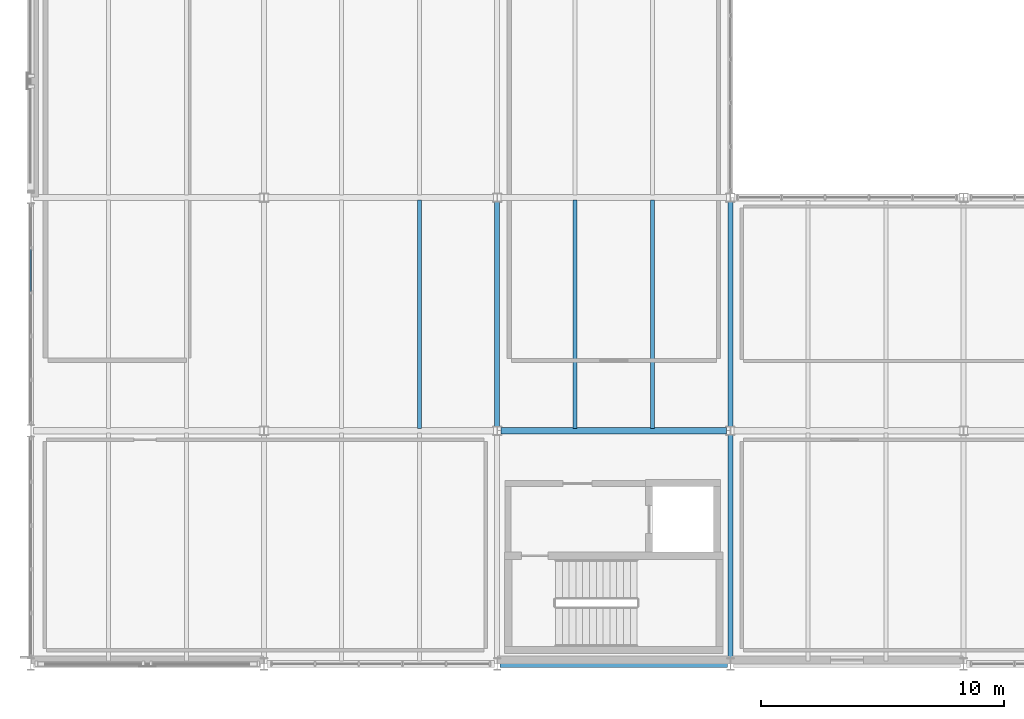
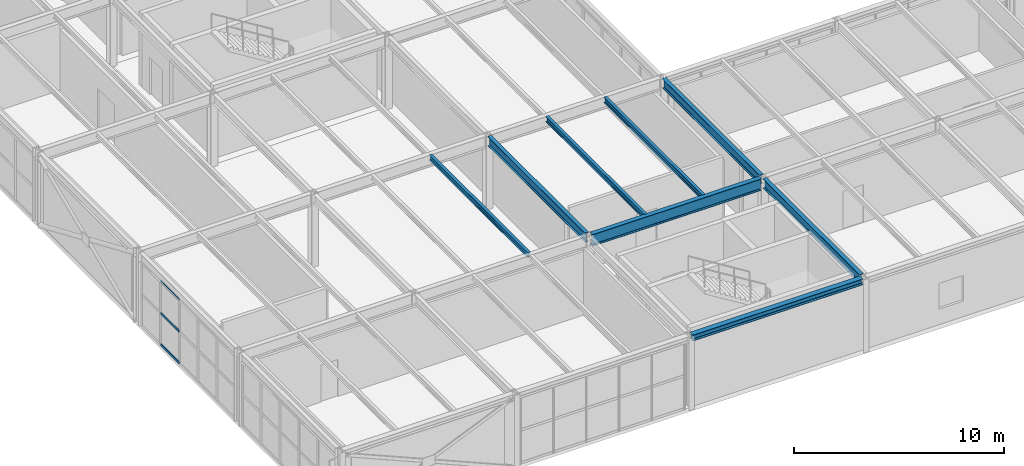
# One storey, part 21 of 170: 8 beams, 3 members, 1 element without a shape of its own.
"""IFC4 building model written with IfcOpenShell, lengths in metres."""

from ifc_helpers import new_model, si_unit, direction, frame, origin, origin_2d, place, context, subcontext, project, spatial, hollow_rectangle, i_section, extrude, material, material_profile, profile_set, type_object, element, aggregate, save


model = new_model("IFC4")

# Units and contexts
model_context = context("Model", 3, precision=1e-05, world=origin(), true_north=direction((0.0, 1.0)))
body_context = subcontext(model_context, "Body", "Model", "MODEL_VIEW")
ifc_project = project(units=[si_unit("LENGTHUNIT", "METRE"), si_unit("AREAUNIT", "SQUARE_METRE"), si_unit("VOLUMEUNIT", "CUBIC_METRE"), si_unit("PLANEANGLEUNIT", "RADIAN"), si_unit("MASSUNIT", "GRAM", prefix="KILO")], contexts=[model_context])

# Site, building, storey
site_placement = place(None, origin())
site = spatial("IfcSite", under=ifc_project, at=site_placement, CompositionType="ELEMENT")
building_placement = place(site_placement, origin())
building = spatial("IfcBuilding", under=site, at=building_placement, Name="Coralgate Yard Interchange", CompositionType="ELEMENT")
storey_placement = place(building_placement, frame((0.0, 0.0, 6.0)))
storey = spatial("IfcBuildingStorey", under=building, at=storey_placement, Name="L01", CompositionType="ELEMENT", Elevation=6.0)

# Beams
ifc_material_1 = material(Name="Structural steel S355J2", Category="steel")
ifc_material_profile_1 = material_profile(ifc_material_1, i_section(OverallWidth=0.209228515625, OverallDepth=0.533203125, WebThickness=0.010009765625, FlangeThickness=0.015625, FilletRadius=0.0126953125, at=origin_2d()), Name="UB 533x210x92")
ifc_profile_set_1 = profile_set([ifc_material_profile_1], Name="Structural steel S355J2")
beam_type_1 = type_object("IfcBeamType", Name="BM-SB-1", PredefinedType="BEAM", material=ifc_profile_set_1)
beam_1_placement = place(storey_placement, frame((19.199951171875, 9.754150390625, 3.9833984375), z_axis=(0.0, 1.0, 0.0), x_axis=(-1.0, 0.0, 0.0)))
element("IfcBeam", 1, at=beam_1_placement, inside=storey, type_object=beam_type_1, Name="L01 primary grid girder X2 Y1-2", PredefinedType="BEAM", context=body_context, shape_type="SweptSolid", body=[
    extrude(i_section(OverallWidth=0.209228515625, OverallDepth=0.533203125, WebThickness=0.010009765625, FlangeThickness=0.015625, FilletRadius=0.0126953125, at=origin_2d()), origin(), (0.0, 0.0, 1.0), 9.291748046875),
])
beam_2_placement = place(storey_placement, frame((28.800048828125, 0.219970703125, 3.9833984375), z_axis=(0.0, 1.0, 0.0), x_axis=(-1.0, 0.0, 0.0)))
element("IfcBeam", 2, at=beam_2_placement, inside=storey, type_object=beam_type_1, Name="L01 primary grid girder X3 Y0-1", PredefinedType="BEAM", context=body_context, shape_type="SweptSolid", body=[
    extrude(i_section(OverallWidth=0.209228515625, OverallDepth=0.533203125, WebThickness=0.010009765625, FlangeThickness=0.015625, FilletRadius=0.0126953125, at=origin_2d()), origin(), (0.0, 0.0, 1.0), 9.225830078125),
])
beam_3_placement = place(storey_placement, frame((28.800048828125, 9.754150390625, 3.9833984375), z_axis=(0.0, 1.0, 0.0), x_axis=(-1.0, 0.0, 0.0)))
element("IfcBeam", 3, at=beam_3_placement, inside=storey, type_object=beam_type_1, Name="L01 primary grid girder X3 Y1-2", PredefinedType="BEAM", context=body_context, shape_type="SweptSolid", body=[
    extrude(i_section(OverallWidth=0.209228515625, OverallDepth=0.533203125, WebThickness=0.010009765625, FlangeThickness=0.015625, FilletRadius=0.0126953125, at=origin_2d()), origin(), (0.0, 0.0, 1.0), 9.291748046875),
])
ifc_material_profile_2 = material_profile(ifc_material_1, i_section(OverallWidth=0.253662109375, OverallDepth=0.68359375, WebThickness=0.012451171875, FlangeThickness=0.01904296875, FilletRadius=0.01513671875, at=origin_2d()), Name="UB 686x254x140")
ifc_profile_set_2 = profile_set([ifc_material_profile_2], Name="Structural steel S355J2")
beam_type_2 = type_object("IfcBeamType", Name="BM-SG-4", PredefinedType="BEAM", material=ifc_profile_set_2)
beam_4_placement = place(storey_placement, frame((19.356201171875, 9.60009765625, 3.908203125), z_axis=(1.0, 0.0, 0.0), x_axis=(0.0, 1.0, 0.0)))
element("IfcBeam", 4, at=beam_4_placement, inside=storey, type_object=beam_type_2, Name="L01 primary grid beam Y1 X2-3", PredefinedType="BEAM", context=body_context, shape_type="SweptSolid", body=[
    extrude(i_section(OverallWidth=0.253662109375, OverallDepth=0.68359375, WebThickness=0.012451171875, FlangeThickness=0.01904296875, FilletRadius=0.01513671875, at=origin_2d()), origin(), (0.0, 0.0, 1.0), 9.28759765625),
])
ifc_material_profile_3 = material_profile(ifc_material_1, i_section(OverallWidth=0.1650390625, OverallDepth=0.303466796875, WebThickness=0.006103515625, FlangeThickness=0.01025390625, FilletRadius=0.0087890625, at=origin_2d()), Name="UB 305x165x40")
ifc_profile_set_3 = profile_set([ifc_material_profile_3], Name="Structural steel S355J2")
beam_type_3 = type_object("IfcBeamType", Name="BM-SJ-1", PredefinedType="JOIST", material=ifc_profile_set_3)
for number, where, z_axis, x_axis, name in (
    (5, (16.0, 9.69677734375, 4.098388671875), (0.0, 1.0, 0.0), (-1.0, 0.0, 0.0), "L01 composite floor joist 1-1-2"),
    (6, (22.39990234375, 9.69677734375, 4.098388671875), (0.0, 1.0, 0.0), (-1.0, 0.0, 0.0), "L01 composite floor joist 2-1-1"),
    (7, (25.60009765625, 9.69677734375, 4.098388671875), (0.0, 1.0, 0.0), (-1.0, 0.0, 0.0), "L01 composite floor joist 2-1-2"),
):
    element("IfcBeam", number, at=place(storey_placement, frame(where, z_axis=z_axis, x_axis=x_axis)), inside=storey, type_object=beam_type_3, Name=name, PredefinedType="JOIST", context=body_context, shape_type="SweptSolid", body=[
        extrude(i_section(OverallWidth=0.1650390625, OverallDepth=0.303466796875, WebThickness=0.006103515625, FlangeThickness=0.01025390625, FilletRadius=0.0087890625, at=origin_2d()), origin(), (0.0, 0.0, 1.0), 9.40625),
    ])
ifc_material_profile_4 = material_profile(ifc_material_1, i_section(OverallWidth=0.300048828125, OverallDepth=0.35009765625, WebThickness=0.010009765625, FlangeThickness=0.017578125, FilletRadius=0.027099609375, at=origin_2d()), Name="HEA 360")
ifc_profile_set_4 = profile_set([ifc_material_profile_4], Name="Structural steel S355J2")
beam_type_4 = type_object("IfcBeamType", Name="BM-SP-1", PredefinedType="SPANDREL", material=ifc_profile_set_4)
beam_5_placement = place(storey_placement, frame((19.320068359375, 0.0, 4.074951171875), z_axis=(1.0, 0.0, 0.0), x_axis=(0.0, 1.0, 0.0)))
element("IfcBeam", 8, at=beam_5_placement, inside=storey, type_object=beam_type_4, Name="L01 primary grid beam Y0 X2-3", PredefinedType="SPANDREL", context=body_context, shape_type="SweptSolid", body=[
    extrude(i_section(OverallWidth=0.300048828125, OverallDepth=0.35009765625, WebThickness=0.010009765625, FlangeThickness=0.017578125, FilletRadius=0.027099609375, at=origin_2d()), origin(), (0.0, 0.0, 1.0), 9.35986328125),
])

# Curtain wall, members
ifc_material_2 = material(Name="Anodised coastal aluminium and solar-control low-E glass", Category="aluminium")
curtain_wall_type = type_object("IfcCurtainWallType", Name="CW-CW-L01-A", PredefinedType="NOTDEFINED", material=ifc_material_2)
curtain_wall_placement = place(storey_placement, origin())
curtain_wall = element("IfcCurtainWall", 9, at=curtain_wall_placement, inside=storey, type_object=curtain_wall_type, Name="L01 unitised curtain wall CW-L01-W-00-01", PredefinedType="NOTDEFINED")
ifc_material_3 = material(Name="Anodised coastal aluminium 6063-T6", Category="aluminium")
ifc_material_profile_5 = material_profile(ifc_material_3, hollow_rectangle(XDim=0.06005859375, YDim=0.139892578125, WallThickness=0.00341796875, InnerFilletRadius=0.00341796875, OuterFilletRadius=0.007080078125, at=origin_2d()), Name="ALU 60x140x3.5")
ifc_profile_set_5 = profile_set([ifc_material_profile_5], Name="Anodised coastal aluminium 6063-T6")
member_type = type_object("IfcMemberType", Name="MB-TRN-140", PredefinedType="USERDEFINED", material=ifc_profile_set_5)
member_1_placement = place(storey_placement, frame((0.0, 15.330078125, 0.034912109375), z_axis=(0.0, 1.0, 0.0), x_axis=(-1.0, 0.0, 0.0)))
member_1 = element("IfcMember", 10, at=member_1_placement, type_object=member_type, Name="CW-L01-W-00-01 horizontal transom 4-1", ObjectType="TRANSOM", PredefinedType="USERDEFINED", context=body_context, shape_type="SweptSolid", body=[
    extrude(hollow_rectangle(XDim=0.06005859375, YDim=0.139892578125, WallThickness=0.00341796875, InnerFilletRadius=0.00341796875, OuterFilletRadius=0.007080078125, at=origin_2d()), origin(), (0.0, 0.0, 1.0), 1.739990234375),
])
member_2_placement = place(storey_placement, frame((0.0, 15.330078125, 1.8583984375), z_axis=(0.0, 1.0, 0.0), x_axis=(-1.0, 0.0, 0.0)))
member_2 = element("IfcMember", 11, at=member_2_placement, type_object=member_type, Name="CW-L01-W-00-01 horizontal transom 4-2", ObjectType="TRANSOM", PredefinedType="USERDEFINED", context=body_context, shape_type="SweptSolid", body=[
    extrude(hollow_rectangle(XDim=0.06005859375, YDim=0.139892578125, WallThickness=0.00341796875, InnerFilletRadius=0.00341796875, OuterFilletRadius=0.007080078125, at=origin_2d()), origin(), (0.0, 0.0, 1.0), 1.739990234375),
])
member_3_placement = place(storey_placement, frame((0.0, 15.330078125, 3.681884765625), z_axis=(0.0, 1.0, 0.0), x_axis=(-1.0, 0.0, 0.0)))
member_3 = element("IfcMember", 12, at=member_3_placement, type_object=member_type, Name="CW-L01-W-00-01 horizontal transom 4-3", ObjectType="TRANSOM", PredefinedType="USERDEFINED", context=body_context, shape_type="SweptSolid", body=[
    extrude(hollow_rectangle(XDim=0.06005859375, YDim=0.139892578125, WallThickness=0.00341796875, InnerFilletRadius=0.00341796875, OuterFilletRadius=0.007080078125, at=origin_2d()), origin(), (0.0, 0.0, 1.0), 1.739990234375),
])
aggregate(curtain_wall, [member_1, member_2, member_3])

save(model, "model.ifc")
